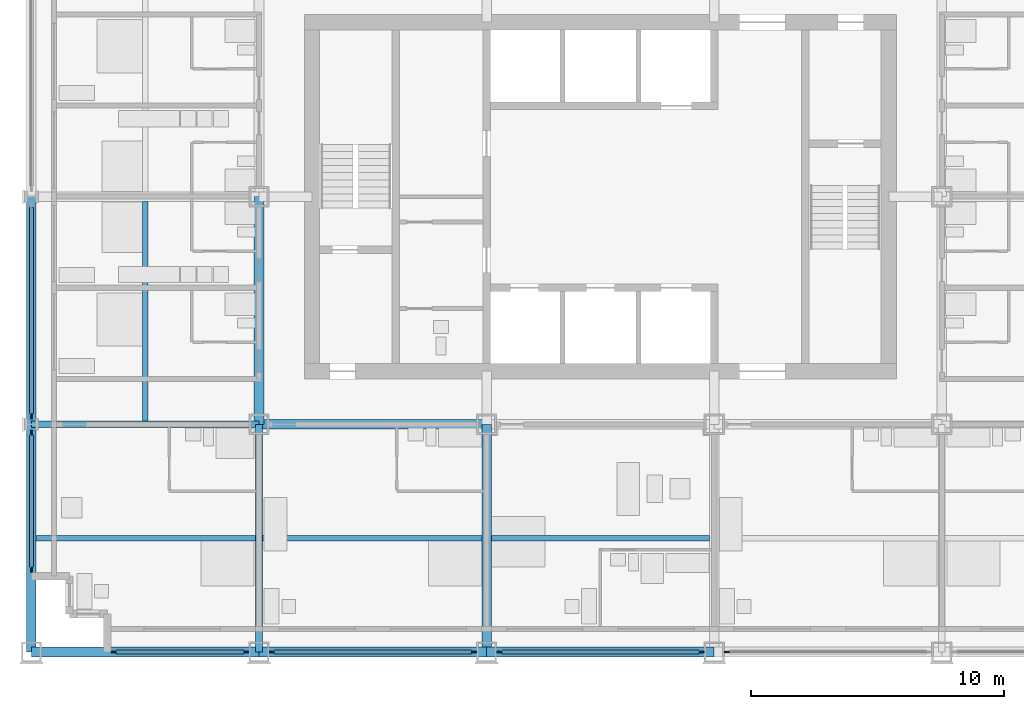
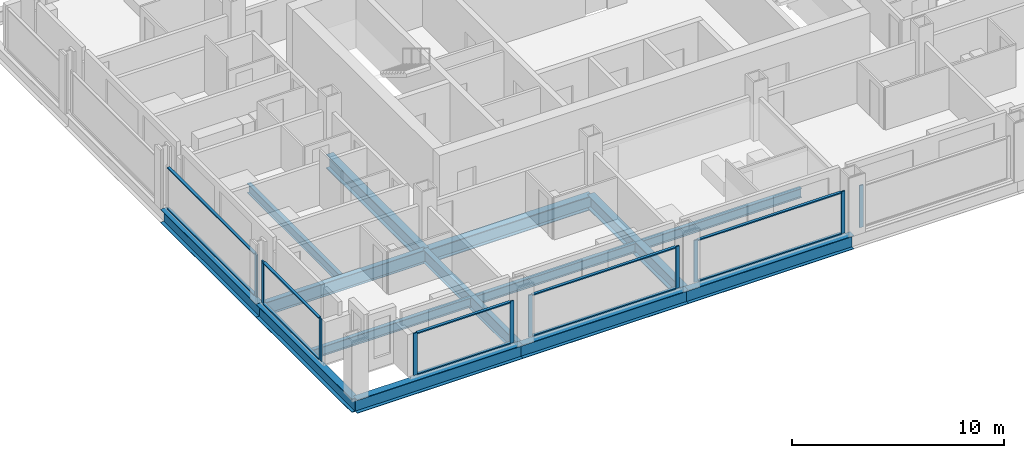
# One storey, part 2 of 16: 20 members, 14 beams, 6 elements without a shape of their own.
"""IFC4 building model written with IfcOpenShell, lengths in metres."""

from ifc_helpers import new_model, si_unit, direction, frame, origin, origin_2d, place, context, subcontext, project, spatial, rectangle, i_section, extrude, material, material_profile, profile_set, type_object, element, aggregate, save


model = new_model("IFC4")

# Units and contexts
model_context = context("Model", 3, precision=1e-05, world=origin(), true_north=direction((0.0, 1.0)))
body_context = subcontext(model_context, "Body", "Model", "MODEL_VIEW")
ifc_project = project(units=[si_unit("LENGTHUNIT", "METRE"), si_unit("AREAUNIT", "SQUARE_METRE"), si_unit("VOLUMEUNIT", "CUBIC_METRE"), si_unit("PLANEANGLEUNIT", "RADIAN"), si_unit("MASSUNIT", "GRAM", prefix="KILO")], contexts=[model_context])

# Site, building, storey
site_placement = place(None, origin())
site = spatial("IfcSite", under=ifc_project, at=site_placement, CompositionType="ELEMENT")
building_placement = place(site_placement, origin())
building = spatial("IfcBuilding", under=site, at=building_placement, Name="Loomwork Tower", CompositionType="ELEMENT")
storey_placement = place(building_placement, frame((0.0, 0.0, 107.800048828125)))
storey = spatial("IfcBuildingStorey", under=building, at=storey_placement, Name="L28", CompositionType="ELEMENT", Elevation=107.800048828125)

# Beams
ifc_material_1 = material(Name="Steel ASTM A992", Category="steel")
ifc_material_profile_1 = material_profile(ifc_material_1, i_section(OverallWidth=0.383544921875, OverallDepth=0.794921875, WebThickness=0.02099609375, FlangeThickness=0.0380859375, at=origin_2d()), Name="W30x235")
ifc_profile_set_1 = profile_set([ifc_material_profile_1], Name="Steel ASTM A992")
beam_type_1 = type_object("IfcBeamType", Name="CORE FLANK GIRDER W30x235", PredefinedType="BEAM", material=ifc_profile_set_1)
for number, where, z_axis, x_axis, name in (
    (1, (9.0, 9.0, -0.59765625), (1.0, 0.0, 0.0), (0.0, 1.0, 0.0), "Core Flank Girder E/3-E/4 L28"),
    (2, (9.0, 9.0, -0.59765625), (0.0, 1.0, 0.0), (-1.0, 0.0, 0.0), "Core Flank Girder E/3-F/3 L28"),
    (3, (18.0, 0.0, -0.59765625), (0.0, 1.0, 0.0), (-1.0, 0.0, 0.0), "Core Flank Girder D/4-E/4 L28"),
):
    element("IfcBeam", number, at=place(storey_placement, frame(where, z_axis=z_axis, x_axis=x_axis)), inside=storey, type_object=beam_type_1, Name=name, PredefinedType="BEAM", context=body_context, shape_type="SweptSolid", body=[
        extrude(i_section(OverallWidth=0.383544921875, OverallDepth=0.794921875, WebThickness=0.02099609375, FlangeThickness=0.0380859375, at=origin_2d()), origin(), (0.0, 0.0, 1.0), 9.0),
    ])
ifc_material_2 = material(Name="Steel ASTM A992", Category="steel")
ifc_material_profile_2 = material_profile(ifc_material_2, i_section(OverallWidth=0.2666015625, OverallDepth=0.761962890625, WebThickness=0.014404296875, FlangeThickness=0.021484375, at=origin_2d()), Name="W30x116")
ifc_profile_set_2 = profile_set([ifc_material_profile_2], Name="Steel ASTM A992")
beam_type_2 = type_object("IfcBeamType", Name="FLOOR GIRDER W30x116", PredefinedType="BEAM", material=ifc_profile_set_2)
for number, where, z_axis, x_axis, name in (
    (4, (0.0, 9.0, -0.5810546875), (1.0, 0.0, 0.0), (0.0, 1.0, 0.0), "Floor Girder E/2-E/3 L28"),
    (5, (9.0, 0.0, -0.5810546875), (0.0, 1.0, 0.0), (-1.0, 0.0, 0.0), "Floor Girder D/3-E/3 L28"),
):
    element("IfcBeam", number, at=place(storey_placement, frame(where, z_axis=z_axis, x_axis=x_axis)), inside=storey, type_object=beam_type_2, Name=name, PredefinedType="BEAM", context=body_context, shape_type="SweptSolid", body=[
        extrude(i_section(OverallWidth=0.2666015625, OverallDepth=0.761962890625, WebThickness=0.014404296875, FlangeThickness=0.021484375, at=origin_2d()), origin(), (0.0, 0.0, 1.0), 9.0),
    ])
ifc_material_3 = material(Name="Steel ASTM A992", Category="steel")
ifc_material_profile_3 = material_profile(ifc_material_3, i_section(OverallWidth=0.2109375, OverallDepth=0.53857421875, WebThickness=0.011474609375, FlangeThickness=0.018798828125, at=origin_2d()), Name="W21x73")
ifc_profile_set_3 = profile_set([ifc_material_profile_3], Name="Steel ASTM A992")
beam_type_3 = type_object("IfcBeamType", Name="FLOOR JOIST W21x73", PredefinedType="JOIST", material=ifc_profile_set_3)
beam_1_placement = place(storey_placement, frame((0.18994140625, 4.5, -0.46923828125), z_axis=(1.0, 0.0, 0.0), x_axis=(0.0, 1.0, 0.0)))
element("IfcBeam", 6, at=beam_1_placement, inside=storey, type_object=beam_type_3, Name="Floor Joist 0.000,4.500-9.000,4.500 L28", PredefinedType="JOIST", context=body_context, shape_type="SweptSolid", body=[
    extrude(i_section(OverallWidth=0.2109375, OverallDepth=0.53857421875, WebThickness=0.011474609375, FlangeThickness=0.018798828125, at=origin_2d()), origin(), (0.0, 0.0, 1.0), 8.677001953125),
])
for number, where, z_axis, x_axis, name in (
    (7, (4.5, 9.133056640625, -0.46923828125), (0.0, 1.0, 0.0), (-1.0, 0.0, 0.0), "Floor Joist 4.500,9.000-4.500,18.000 L28"),
    (8, (9.133056640625, 4.5, -0.46923828125), (1.0, 0.0, 0.0), (0.0, 1.0, 0.0), "Floor Joist 9.000,4.500-18.000,4.500 L28"),
):
    element("IfcBeam", number, at=place(storey_placement, frame(where, z_axis=z_axis, x_axis=x_axis)), inside=storey, type_object=beam_type_3, Name=name, PredefinedType="JOIST", context=body_context, shape_type="SweptSolid", body=[
        extrude(i_section(OverallWidth=0.2109375, OverallDepth=0.53857421875, WebThickness=0.011474609375, FlangeThickness=0.018798828125, at=origin_2d()), origin(), (0.0, 0.0, 1.0), 8.676025390625),
    ])
beam_2_placement = place(storey_placement, frame((18.19091796875, 4.5, -0.46923828125), z_axis=(1.0, 0.0, 0.0), x_axis=(0.0, 1.0, 0.0)))
element("IfcBeam", 9, at=beam_2_placement, inside=storey, type_object=beam_type_3, Name="Floor Joist 18.000,4.500-27.000,4.500 L28", PredefinedType="JOIST", context=body_context, shape_type="SweptSolid", body=[
    extrude(i_section(OverallWidth=0.2109375, OverallDepth=0.53857421875, WebThickness=0.011474609375, FlangeThickness=0.018798828125, at=origin_2d()), origin(), (0.0, 0.0, 1.0), 8.6181640625),
])

# Curtain wall, members
ifc_material_4 = material(Name="Aluminium curtain wall frame", Category="aluminium")
curtain_wall_type = type_object("IfcCurtainWallType", Name="Outer skin glazing hotel", PredefinedType="NOTDEFINED", material=ifc_material_4)
curtain_wall_1_placement = place(storey_placement, origin())
curtain_wall_1 = element("IfcCurtainWall", 10, at=curtain_wall_1_placement, inside=storey, type_object=curtain_wall_type, Name="Outer skin glazing hotel cw/S-0", PredefinedType="NOTDEFINED")
ifc_material_5 = material(Name="Aluminium curtain wall frame", Category="aluminium")
ifc_material_profile_4 = material_profile(ifc_material_5, rectangle(XDim=0.06494140625, YDim=0.199951171875, at=origin_2d()), Name="AL 65x200")
ifc_profile_set_4 = profile_set([ifc_material_profile_4], Name="Aluminium curtain wall frame")
member_type_1 = type_object("IfcMemberType", Name="Outer skin glazing hotel mullion", PredefinedType="MULLION", material=ifc_profile_set_4)
member_1_placement = place(storey_placement, frame((3.25, 0.0, 0.0), z_axis=(0.0, 0.0, 1.0), x_axis=(0.0, 1.0, 0.0)))
member_1 = element("IfcMember", 11, at=member_1_placement, type_object=member_type_1, Name="CW1 mullion 1", PredefinedType="MULLION", context=body_context, shape_type="SweptSolid", body=[
    extrude(rectangle(XDim=0.06494140625, YDim=0.199951171875, at=origin_2d()), origin(), (0.0, 0.0, 1.0), 2.420166015625),
])
member_2_placement = place(storey_placement, frame((8.5, 0.0, 0.0), z_axis=(0.0, 0.0, 1.0), x_axis=(0.0, 1.0, 0.0)))
member_2 = element("IfcMember", 12, at=member_2_placement, type_object=member_type_1, Name="CW1 mullion 2", PredefinedType="MULLION", context=body_context, shape_type="SweptSolid", body=[
    extrude(rectangle(XDim=0.06494140625, YDim=0.199951171875, at=origin_2d()), origin(), (0.0, 0.0, 1.0), 2.420166015625),
])

curtain_wall_2_placement = place(storey_placement, origin())
curtain_wall_2 = element("IfcCurtainWall", 13, at=curtain_wall_2_placement, inside=storey, type_object=curtain_wall_type, Name="Outer skin glazing hotel cw/S-9", PredefinedType="NOTDEFINED")
member_3_placement = place(storey_placement, frame((9.5, 0.0, 0.0), z_axis=(0.0, 0.0, 1.0), x_axis=(0.0, 1.0, 0.0)))
member_3 = element("IfcMember", 14, at=member_3_placement, type_object=member_type_1, Name="CW1 mullion 1", PredefinedType="MULLION", context=body_context, shape_type="SweptSolid", body=[
    extrude(rectangle(XDim=0.06494140625, YDim=0.199951171875, at=origin_2d()), origin(), (0.0, 0.0, 1.0), 2.420166015625),
])
member_4_placement = place(storey_placement, frame((17.5, 0.0, 0.0), z_axis=(0.0, 0.0, 1.0), x_axis=(0.0, 1.0, 0.0)))
member_4 = element("IfcMember", 15, at=member_4_placement, type_object=member_type_1, Name="CW1 mullion 2", PredefinedType="MULLION", context=body_context, shape_type="SweptSolid", body=[
    extrude(rectangle(XDim=0.06494140625, YDim=0.199951171875, at=origin_2d()), origin(), (0.0, 0.0, 1.0), 2.420166015625),
])

curtain_wall_3_placement = place(storey_placement, origin())
curtain_wall_3 = element("IfcCurtainWall", 16, at=curtain_wall_3_placement, inside=storey, type_object=curtain_wall_type, Name="Outer skin glazing hotel cw/S-18", PredefinedType="NOTDEFINED")
member_5_placement = place(storey_placement, frame((18.5, 0.0, 0.0), z_axis=(0.0, 0.0, 1.0), x_axis=(0.0, 1.0, 0.0)))
member_5 = element("IfcMember", 17, at=member_5_placement, type_object=member_type_1, Name="CW1 mullion 1", PredefinedType="MULLION", context=body_context, shape_type="SweptSolid", body=[
    extrude(rectangle(XDim=0.06494140625, YDim=0.199951171875, at=origin_2d()), origin(), (0.0, 0.0, 1.0), 2.420166015625),
])
member_6_placement = place(storey_placement, frame((26.5, 0.0, 0.0), z_axis=(0.0, 0.0, 1.0), x_axis=(0.0, 1.0, 0.0)))
member_6 = element("IfcMember", 18, at=member_6_placement, type_object=member_type_1, Name="CW1 mullion 2", PredefinedType="MULLION", context=body_context, shape_type="SweptSolid", body=[
    extrude(rectangle(XDim=0.06494140625, YDim=0.199951171875, at=origin_2d()), origin(), (0.0, 0.0, 1.0), 2.420166015625),
])

# Curtain wall, member
curtain_wall_4_placement = place(storey_placement, origin())
curtain_wall_4 = element("IfcCurtainWall", 19, at=curtain_wall_4_placement, inside=storey, type_object=curtain_wall_type, Name="Outer skin glazing hotel cw/S-27", PredefinedType="NOTDEFINED")
member_7_placement = place(storey_placement, frame((27.5, 0.0, 0.0), z_axis=(0.0, 0.0, 1.0), x_axis=(0.0, 1.0, 0.0)))
member_7 = element("IfcMember", 20, at=member_7_placement, type_object=member_type_1, Name="CW1 mullion 1", PredefinedType="MULLION", context=body_context, shape_type="SweptSolid", body=[
    extrude(rectangle(XDim=0.06494140625, YDim=0.199951171875, at=origin_2d()), origin(), (0.0, 0.0, 1.0), 2.420166015625),
])
aggregate(curtain_wall_4, [member_7])

# Curtain wall, members
curtain_wall_5_placement = place(storey_placement, origin())
curtain_wall_5 = element("IfcCurtainWall", 21, at=curtain_wall_5_placement, inside=storey, type_object=curtain_wall_type, Name="Outer skin glazing hotel cw/W-0", PredefinedType="NOTDEFINED")
member_8_placement = place(storey_placement, frame((0.0, 8.67529296875, 0.0), z_axis=(0.0, 0.0, 1.0), x_axis=(1.0, 0.0, 0.0)))
member_8 = element("IfcMember", 22, at=member_8_placement, type_object=member_type_1, Name="CW1 mullion 1", PredefinedType="MULLION", context=body_context, shape_type="SweptSolid", body=[
    extrude(rectangle(XDim=0.06494140625, YDim=0.199951171875, at=origin_2d()), origin(), (0.0, 0.0, 1.0), 2.420166015625),
])
member_9_placement = place(storey_placement, frame((0.0, 3.25, 0.0), z_axis=(0.0, 0.0, 1.0), x_axis=(1.0, 0.0, 0.0)))
member_9 = element("IfcMember", 23, at=member_9_placement, type_object=member_type_1, Name="CW1 mullion 2", PredefinedType="MULLION", context=body_context, shape_type="SweptSolid", body=[
    extrude(rectangle(XDim=0.06494140625, YDim=0.199951171875, at=origin_2d()), origin(), (0.0, 0.0, 1.0), 2.420166015625),
])

# Curtain wall, member
curtain_wall_6_placement = place(storey_placement, origin())
curtain_wall_6 = element("IfcCurtainWall", 24, at=curtain_wall_6_placement, inside=storey, type_object=curtain_wall_type, Name="Outer skin glazing hotel cw/W-9", PredefinedType="NOTDEFINED")
member_10_placement = place(storey_placement, frame((0.0, 9.32470703125, 0.0), z_axis=(0.0, 0.0, 1.0), x_axis=(1.0, 0.0, 0.0)))
member_10 = element("IfcMember", 25, at=member_10_placement, type_object=member_type_1, Name="CW1 mullion 2", PredefinedType="MULLION", context=body_context, shape_type="SweptSolid", body=[
    extrude(rectangle(XDim=0.06494140625, YDim=0.199951171875, at=origin_2d()), origin(), (0.0, 0.0, 1.0), 2.420166015625),
])

# Member
ifc_material_6 = material(Name="Aluminium curtain wall frame", Category="aluminium")
ifc_material_profile_5 = material_profile(ifc_material_6, rectangle(XDim=0.14990234375, YDim=0.06494140625, at=origin_2d()), Name="AL 65x150")
ifc_profile_set_5 = profile_set([ifc_material_profile_5], Name="Aluminium curtain wall frame")
member_type_2 = type_object("IfcMemberType", Name="Outer skin glazing hotel transom", PredefinedType="USERDEFINED", material=ifc_profile_set_5)
member_11_placement = place(storey_placement, frame((3.35009765625, 0.0, 0.032470703125), z_axis=(1.0, 0.0, 0.0), x_axis=(0.0, 1.0, 0.0)))
member_11 = element("IfcMember", 26, at=member_11_placement, type_object=member_type_2, Name="CW1 transom 1.1", ObjectType="TRANSOM", PredefinedType="USERDEFINED", context=body_context, shape_type="SweptSolid", body=[
    extrude(rectangle(XDim=0.14990234375, YDim=0.06494140625, at=origin_2d()), origin(), (0.0, 0.0, 1.0), 5.0498046875),
])

member_12_placement = place(storey_placement, frame((3.35009765625, 0.0, 2.3876953125), z_axis=(1.0, 0.0, 0.0), x_axis=(0.0, 1.0, 0.0)))
member_12 = element("IfcMember", 27, at=member_12_placement, type_object=member_type_2, Name="CW1 transom 1.2", ObjectType="TRANSOM", PredefinedType="USERDEFINED", context=body_context, shape_type="SweptSolid", body=[
    extrude(rectangle(XDim=0.14990234375, YDim=0.06494140625, at=origin_2d()), origin(), (0.0, 0.0, 1.0), 5.0498046875),
])

aggregate(curtain_wall_1, [member_1, member_2, member_11, member_12])

member_13_placement = place(storey_placement, frame((9.60009765625, 0.0, 0.032470703125), z_axis=(1.0, 0.0, 0.0), x_axis=(0.0, 1.0, 0.0)))
member_13 = element("IfcMember", 28, at=member_13_placement, type_object=member_type_2, Name="CW1 transom 1.1", ObjectType="TRANSOM", PredefinedType="USERDEFINED", context=body_context, shape_type="SweptSolid", body=[
    extrude(rectangle(XDim=0.14990234375, YDim=0.06494140625, at=origin_2d()), origin(), (0.0, 0.0, 1.0), 7.7998046875),
])

member_14_placement = place(storey_placement, frame((9.60009765625, 0.0, 2.3876953125), z_axis=(1.0, 0.0, 0.0), x_axis=(0.0, 1.0, 0.0)))
member_14 = element("IfcMember", 29, at=member_14_placement, type_object=member_type_2, Name="CW1 transom 1.2", ObjectType="TRANSOM", PredefinedType="USERDEFINED", context=body_context, shape_type="SweptSolid", body=[
    extrude(rectangle(XDim=0.14990234375, YDim=0.06494140625, at=origin_2d()), origin(), (0.0, 0.0, 1.0), 7.7998046875),
])

aggregate(curtain_wall_2, [member_3, member_4, member_13, member_14])

member_15_placement = place(storey_placement, frame((18.60009765625, 0.0, 0.032470703125), z_axis=(1.0, 0.0, 0.0), x_axis=(0.0, 1.0, 0.0)))
member_15 = element("IfcMember", 30, at=member_15_placement, type_object=member_type_2, Name="CW1 transom 1.1", ObjectType="TRANSOM", PredefinedType="USERDEFINED", context=body_context, shape_type="SweptSolid", body=[
    extrude(rectangle(XDim=0.14990234375, YDim=0.06494140625, at=origin_2d()), origin(), (0.0, 0.0, 1.0), 7.7998046875),
])

member_16_placement = place(storey_placement, frame((18.60009765625, 0.0, 2.3876953125), z_axis=(1.0, 0.0, 0.0), x_axis=(0.0, 1.0, 0.0)))
member_16 = element("IfcMember", 31, at=member_16_placement, type_object=member_type_2, Name="CW1 transom 1.2", ObjectType="TRANSOM", PredefinedType="USERDEFINED", context=body_context, shape_type="SweptSolid", body=[
    extrude(rectangle(XDim=0.14990234375, YDim=0.06494140625, at=origin_2d()), origin(), (0.0, 0.0, 1.0), 7.7998046875),
])

aggregate(curtain_wall_3, [member_5, member_6, member_15, member_16])

member_17_placement = place(storey_placement, frame((0.0, 8.5751953125, 0.032470703125), z_axis=(0.0, -1.0, 0.0), x_axis=(1.0, 0.0, 0.0)))
member_17 = element("IfcMember", 32, at=member_17_placement, type_object=member_type_2, Name="CW1 transom 1.1", ObjectType="TRANSOM", PredefinedType="USERDEFINED", context=body_context, shape_type="SweptSolid", body=[
    extrude(rectangle(XDim=0.14990234375, YDim=0.06494140625, at=origin_2d()), origin(), (0.0, 0.0, 1.0), 5.22509765625),
])

member_18_placement = place(storey_placement, frame((0.0, 8.5751953125, 2.3876953125), z_axis=(0.0, -1.0, 0.0), x_axis=(1.0, 0.0, 0.0)))
member_18 = element("IfcMember", 33, at=member_18_placement, type_object=member_type_2, Name="CW1 transom 1.2", ObjectType="TRANSOM", PredefinedType="USERDEFINED", context=body_context, shape_type="SweptSolid", body=[
    extrude(rectangle(XDim=0.14990234375, YDim=0.06494140625, at=origin_2d()), origin(), (0.0, 0.0, 1.0), 5.22509765625),
])

aggregate(curtain_wall_5, [member_8, member_9, member_17, member_18])

member_19_placement = place(storey_placement, frame((0.0, 17.5751953125, 0.032470703125), z_axis=(0.0, -1.0, 0.0), x_axis=(1.0, 0.0, 0.0)))
member_19 = element("IfcMember", 34, at=member_19_placement, type_object=member_type_2, Name="CW1 transom 1.1", ObjectType="TRANSOM", PredefinedType="USERDEFINED", context=body_context, shape_type="SweptSolid", body=[
    extrude(rectangle(XDim=0.14990234375, YDim=0.06494140625, at=origin_2d()), origin(), (0.0, 0.0, 1.0), 8.150390625),
])

member_20_placement = place(storey_placement, frame((0.0, 17.5751953125, 2.3876953125), z_axis=(0.0, -1.0, 0.0), x_axis=(1.0, 0.0, 0.0)))
member_20 = element("IfcMember", 35, at=member_20_placement, type_object=member_type_2, Name="CW1 transom 1.2", ObjectType="TRANSOM", PredefinedType="USERDEFINED", context=body_context, shape_type="SweptSolid", body=[
    extrude(rectangle(XDim=0.14990234375, YDim=0.06494140625, at=origin_2d()), origin(), (0.0, 0.0, 1.0), 8.150390625),
])

aggregate(curtain_wall_6, [member_10, member_19, member_20])

# Beams
ifc_material_7 = material(Name="Steel ASTM A992", Category="steel")
ifc_material_profile_6 = material_profile(ifc_material_7, i_section(OverallWidth=0.381103515625, OverallDepth=0.77978515625, WebThickness=0.01806640625, FlangeThickness=0.0302734375, at=origin_2d()), Name="W30x191")
ifc_profile_set_6 = profile_set([ifc_material_profile_6], Name="Steel ASTM A992")
beam_type_4 = type_object("IfcBeamType", Name="SPANDREL GIRDER W30x191", PredefinedType="SPANDREL", material=ifc_profile_set_6)
for number, where, z_axis, x_axis, name in (
    (36, (0.0, 0.0, -0.58984375), (1.0, 0.0, 0.0), (0.0, 1.0, 0.0), "Spandrel Girder D/2-D/3 L28"),
    (37, (9.0, 0.0, -0.58984375), (1.0, 0.0, 0.0), (0.0, 1.0, 0.0), "Spandrel Girder D/3-D/4 L28"),
    (38, (18.0, 0.0, -0.58984375), (1.0, 0.0, 0.0), (0.0, 1.0, 0.0), "Spandrel Girder D/4-D/5 L28"),
    (39, (0.0, 0.0, -0.58984375), (0.0, 1.0, 0.0), (-1.0, 0.0, 0.0), "Spandrel Girder D/2-E/2 L28"),
    (40, (0.0, 9.0, -0.58984375), (0.0, 1.0, 0.0), (-1.0, 0.0, 0.0), "Spandrel Girder E/2-F/2 L28"),
):
    element("IfcBeam", number, at=place(storey_placement, frame(where, z_axis=z_axis, x_axis=x_axis)), inside=storey, type_object=beam_type_4, Name=name, PredefinedType="SPANDREL", context=body_context, shape_type="SweptSolid", body=[
        extrude(i_section(OverallWidth=0.381103515625, OverallDepth=0.77978515625, WebThickness=0.01806640625, FlangeThickness=0.0302734375, at=origin_2d()), origin(), (0.0, 0.0, 1.0), 9.0),
    ])

save(model, "model.ifc")
